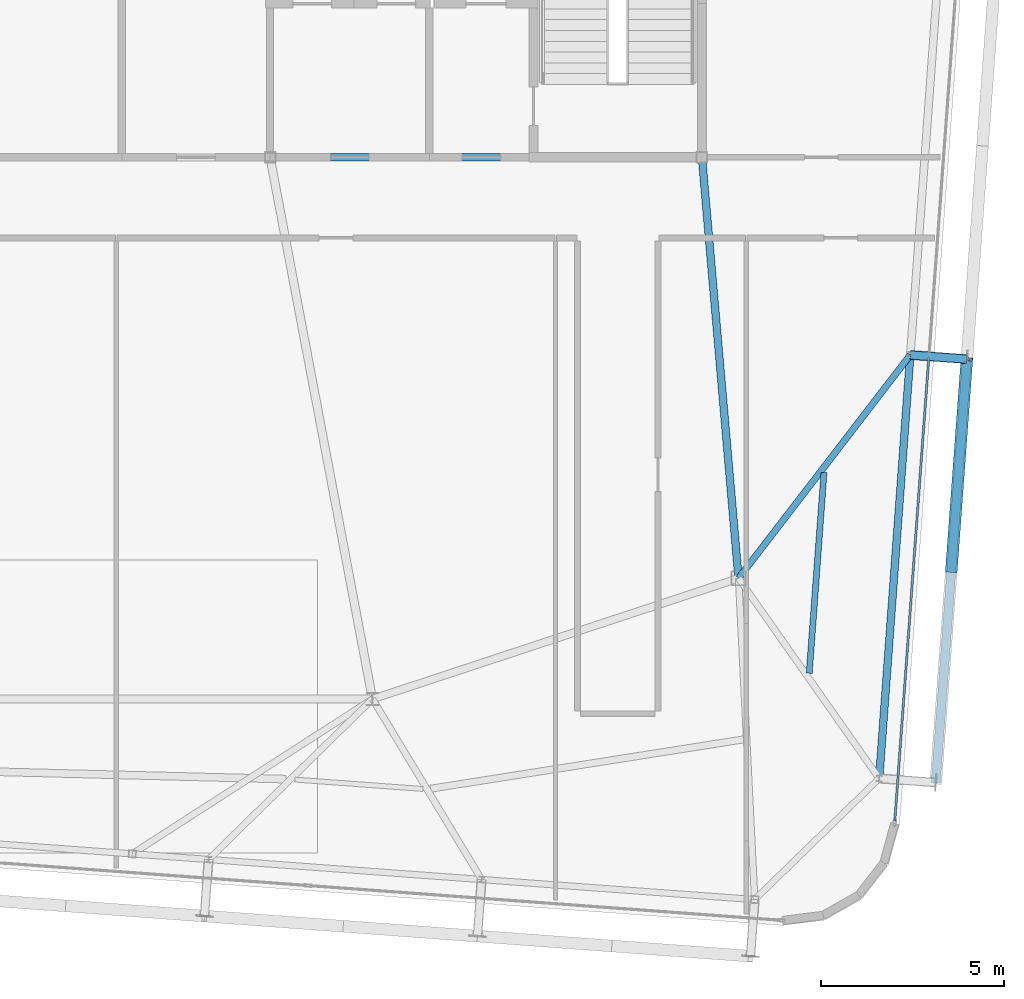
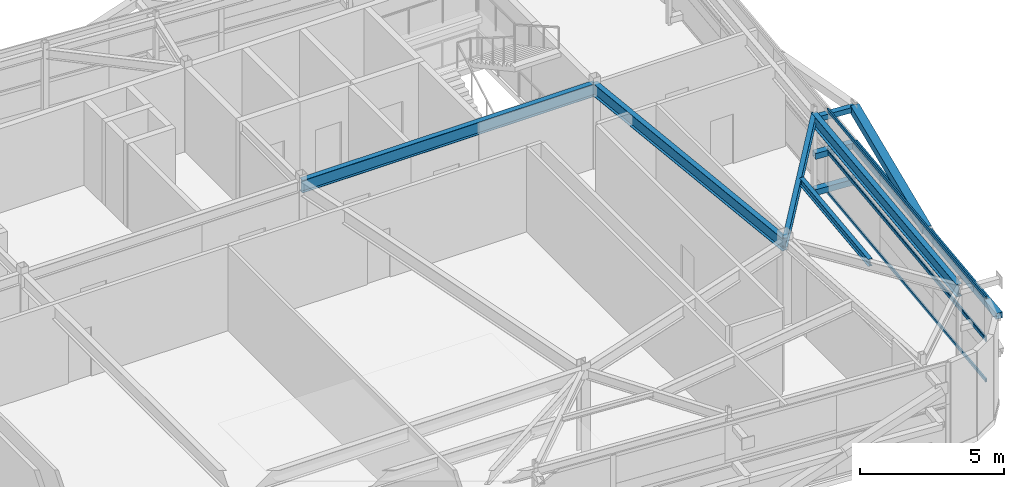
# One storey, part 16 of 35: 9 members, 5 beams, 2 elements without a shape of their own.
"""IFC4 building model written with IfcOpenShell, lengths in metres."""

from ifc_helpers import new_model, si_unit, direction, frame, origin, origin_2d, place, context, subcontext, project, spatial, hollow_rectangle, i_section, extrude, source, transform, mapped, material, layer, layer_set, material_profile, profile_set, type_object, element, aggregate, save


model = new_model("IFC4")

# Units and contexts
model_context = context("Model", 3, precision=1e-05, world=origin(), true_north=direction((0.0, 1.0)))
body_context = subcontext(model_context, "Body", "Model", "MODEL_VIEW")
ifc_project = project(units=[si_unit("LENGTHUNIT", "METRE"), si_unit("AREAUNIT", "SQUARE_METRE"), si_unit("VOLUMEUNIT", "CUBIC_METRE"), si_unit("PLANEANGLEUNIT", "RADIAN"), si_unit("MASSUNIT", "GRAM", prefix="KILO")], contexts=[model_context])

# Site, building, storey
site_placement = place(None, origin())
site = spatial("IfcSite", under=ifc_project, at=site_placement, CompositionType="ELEMENT")
building_placement = place(site_placement, origin())
building = spatial("IfcBuilding", under=site, at=building_placement, Name="Taldren Reach Tower", CompositionType="ELEMENT")
storey_placement = place(building_placement, frame((0.0, 0.0, 249.199951171875)))
storey = spatial("IfcBuildingStorey", under=building, at=storey_placement, Name="L76", CompositionType="ELEMENT", Elevation=249.199951171875)

# Beams
ifc_material_1 = material(Name="Steel Gr 350 (350PLUS)", Category="steel")
ifc_material_profile_1 = material_profile(ifc_material_1, i_section(OverallWidth=0.208984375, OverallDepth=0.532958984375, WebThickness=0.01025390625, FlangeThickness=0.015625, at=origin_2d()), Name="530UB92.4")
ifc_profile_set_1 = profile_set([ifc_material_profile_1], Name="Steel Gr 350 (350PLUS)")
beam_type_1 = type_object("IfcBeamType", Name="BM-UB530A", PredefinedType="BEAM", material=ifc_profile_set_1)
shared_shape_1 = source(origin(), body_context, "Body", "SweptSolid", [
    extrude(i_section(OverallWidth=0.208984375, OverallDepth=0.532958984375, WebThickness=0.01025390625, FlangeThickness=0.015625, at=origin_2d()), origin(), (0.0, 0.0, 1.0), 11.800048828125),
])
beam_1_placement = place(storey_placement, frame((39.199951171875, 24.0, 3.303466796875), z_axis=(1.0, 0.0, 0.0), x_axis=(0.0, 1.0, 0.0)))
element("IfcBeam", 1, at=beam_1_placement, inside=storey, type_object=beam_type_1, Name="Core-spine girder L76-SP03", PredefinedType="BEAM", context=body_context, shape_type="MappedRepresentation", body=[
    mapped(shared_shape_1, transform((0.0, 0.0, 0.0), scale=1.0)),
])
shared_shape_2 = source(origin(), body_context, "Body", "SweptSolid", [
    extrude(i_section(OverallWidth=0.208984375, OverallDepth=0.532958984375, WebThickness=0.01025390625, FlangeThickness=0.015625, at=origin_2d()), origin(), (0.0, 0.0, 1.0), 11.54345703125),
])
beam_2_placement = place(storey_placement, frame((52.0, 12.5, 3.303466796875), z_axis=(-0.086629616365, 0.996240588196, 0.0), x_axis=(-0.996240588196, -0.086629616365, 0.0)))
element("IfcBeam", 2, at=beam_2_placement, inside=storey, type_object=beam_type_1, Name="Core-spine girder L76-SP13", PredefinedType="BEAM", context=body_context, shape_type="MappedRepresentation", body=[
    mapped(shared_shape_2, transform((0.0, 0.0, 0.0), scale=1.0)),
])
ifc_material_profile_2 = material_profile(ifc_material_1, i_section(OverallWidth=0.208984375, OverallDepth=0.528076171875, WebThickness=0.009521484375, FlangeThickness=0.01318359375, at=origin_2d()), Name="530UB82.0")
ifc_profile_set_2 = profile_set([ifc_material_profile_2], Name="Steel Gr 350 (350PLUS)")
beam_type_2 = type_object("IfcBeamType", Name="SP-UB530B", PredefinedType="SPANDREL", material=ifc_profile_set_2)
shared_shape_3 = source(origin(), body_context, "Body", "SweptSolid", [
    extrude(i_section(OverallWidth=0.208984375, OverallDepth=0.528076171875, WebThickness=0.009521484375, FlangeThickness=0.01318359375, at=origin_2d()), origin(), (0.0, 0.0, 1.0), 11.60009765625),
])
beam_3_placement = place(storey_placement, frame((55.841796875, 7.031005859375, 3.30615234375), z_axis=(0.073242167855, 0.997314185625, 0.0), x_axis=(-0.997314185625, 0.073242167855, 0.0)))
element("IfcBeam", 3, at=beam_3_placement, inside=storey, type_object=beam_type_2, Name="Perimeter spandrel B5 E1-E2 L76", PredefinedType="SPANDREL", context=body_context, shape_type="MappedRepresentation", body=[
    mapped(shared_shape_3, transform((0.0, 0.0, 0.0), scale=1.0)),
])
ifc_material_profile_3 = material_profile(ifc_material_1, i_section(OverallWidth=0.177978515625, OverallDepth=0.406005859375, WebThickness=0.0078125, FlangeThickness=0.0126953125, at=origin_2d()), Name="410UB59.7")
ifc_profile_set_3 = profile_set([ifc_material_profile_3], Name="Steel Gr 350 (350PLUS)")
beam_type_3 = type_object("IfcBeamType", Name="BM-UB410", PredefinedType="BEAM", material=ifc_profile_set_3)
shared_shape_4 = source(origin(), body_context, "Body", "SweptSolid", [
    extrude(i_section(OverallWidth=0.177978515625, OverallDepth=0.406005859375, WebThickness=0.0078125, FlangeThickness=0.0126953125, at=origin_2d()), origin(), (0.0, 0.0, 1.0), 7.6953125),
])
beam_4_placement = place(storey_placement, frame((52.0, 12.5, 3.366943359375), z_axis=(0.609646363361, 0.792673521471, 0.0), x_axis=(-0.792673521471, 0.609646363361, 0.0)))
element("IfcBeam", 4, at=beam_4_placement, inside=storey, type_object=beam_type_3, Name="Primary floor girder B5-E2 L76", PredefinedType="BEAM", context=body_context, shape_type="MappedRepresentation", body=[
    mapped(shared_shape_4, transform((0.0, 0.0, 0.0), scale=1.0)),
])
ifc_material_2 = material(Name="Steel Gr 300 (300PLUS, 300 MPa)", Category="steel")
ifc_material_profile_4 = material_profile(ifc_material_2, i_section(OverallWidth=0.166015625, OverallDepth=0.306884765625, WebThickness=0.006591796875, FlangeThickness=0.01171875, at=origin_2d()), Name="310UB46.2")
ifc_profile_set_4 = profile_set([ifc_material_profile_4], Name="Steel Gr 300 (300PLUS, 300 MPa)")
beam_type_4 = type_object("IfcBeamType", Name="JS-UB310", PredefinedType="JOIST", material=ifc_profile_set_4)
shared_shape_5 = source(origin(), body_context, "Body", "SweptSolid", [
    extrude(i_section(OverallWidth=0.166015625, OverallDepth=0.306884765625, WebThickness=0.006591796875, FlangeThickness=0.01171875, at=origin_2d()), origin(), (0.0, 0.0, 1.0), 5.49755859375),
])
beam_5_placement = place(storey_placement, frame((53.93115234375, 9.905517578125, 3.41650390625), z_axis=(0.073228814191, 0.99731516622, 0.0), x_axis=(-0.99731516622, 0.073228814191, 0.0)))
element("IfcBeam", 5, at=beam_5_placement, inside=storey, type_object=beam_type_4, Name="Secondary floor joist B5 J7 L76", PredefinedType="JOIST", context=body_context, shape_type="MappedRepresentation", body=[
    mapped(shared_shape_5, transform((0.0, 0.0, 0.0), scale=1.0)),
])

# Members
ifc_material_3 = material(Name="Steel Gr 450 (C450L0)", Category="steel")
ifc_material_profile_5 = material_profile(ifc_material_3, hollow_rectangle(XDim=0.219970703125, YDim=0.219970703125, WallThickness=0.00830078125, at=origin_2d()), Name="220x220x8.2SHS")
ifc_profile_set_5 = profile_set([ifc_material_profile_5], Name="Steel Gr 450 (C450L0)")
member_type_1 = type_object("IfcMemberType", Name="MB-TIE219", PredefinedType="STRUT", material=ifc_profile_set_5)
shared_shape_6 = source(origin(), body_context, "Body", "SweptSolid", [
    extrude(hollow_rectangle(XDim=0.219970703125, YDim=0.219970703125, WallThickness=0.00830078125, at=origin_2d()), origin(), (0.0, 0.0, 1.0), 1.5458984375),
])
member_1_placement = place(storey_placement, frame((56.6953125, 18.599365234375, 3.2900390625), z_axis=(0.99732305975, -0.073121231459, 0.0), x_axis=(0.073121231459, 0.99732305975, 0.0)))
element("IfcMember", 6, at=member_1_placement, inside=storey, type_object=member_type_1, Name="Exoskeleton diaphragm tie strut B5-E2 L76", PredefinedType="STRUT", context=body_context, shape_type="MappedRepresentation", body=[
    mapped(shared_shape_6, transform((0.0, 0.0, 0.0), scale=1.0)),
])
ifc_material_4 = material(Name="Steel Gr 350 (C350L0)", Category="steel")
ifc_material_profile_6 = material_profile(ifc_material_4, hollow_rectangle(XDim=0.25, YDim=0.25, WallThickness=0.010009765625, at=origin_2d()), Name="250x250x10.0SHS")
ifc_profile_set_6 = profile_set([ifc_material_profile_6], Name="Steel Gr 350 (C350L0)")
member_type_2 = type_object("IfcMemberType", Name="MB-POST250", PredefinedType="POST", material=ifc_profile_set_6)
shared_shape_7 = source(origin(), body_context, "Body", "SweptSolid", [
    extrude(hollow_rectangle(XDim=0.25, YDim=0.25, WallThickness=0.010009765625, at=origin_2d()), origin(), (0.0, 0.0, 1.0), 11.60009765625),
])
member_2_placement = place(storey_placement, frame((57.3876953125, 6.91748046875, 1.755126953125), z_axis=(0.073221234109, 0.997315722766, 0.0), x_axis=(-0.997315722766, 0.073221234109, 0.0)))
element("IfcMember", 7, at=member_2_placement, inside=storey, type_object=member_type_2, Name="Exoskeleton mid-height ring chord B5-E1 L76", PredefinedType="POST", context=body_context, shape_type="MappedRepresentation", body=[
    mapped(shared_shape_7, transform((0.0, 0.0, 0.0), scale=1.0)),
])
shared_shape_8 = source(origin(), body_context, "Body", "SweptSolid", [
    extrude(hollow_rectangle(XDim=0.25, YDim=0.25, WallThickness=0.010009765625, at=origin_2d()), origin(), (0.0, 0.0, 1.0), 1.5458984375),
])
for number, where, z_axis, x_axis, name in (
    (8, (56.6953125, 18.599365234375, 0.219970703125), (0.99732305975, -0.073121231459, 0.0), (0.073121231459, 0.99732305975, 0.0), "Exoskeleton base diaphragm tie strut B5-E2 L76"),
    (9, (56.6953125, 18.599365234375, 1.755126953125), (0.99732305975, -0.073121231459, 0.0), (0.073121231459, 0.99732305975, 0.0), "Exoskeleton mid-tier diaphragm tie B5-E2 L76"),
):
    element("IfcMember", number, at=place(storey_placement, frame(where, z_axis=z_axis, x_axis=x_axis)), inside=storey, type_object=member_type_2, Name=name, PredefinedType="POST", context=body_context, shape_type="MappedRepresentation", body=[
        mapped(shared_shape_8, transform((0.0, 0.0, 0.0), scale=1.0)),
    ])
ifc_material_profile_7 = material_profile(ifc_material_3, hollow_rectangle(XDim=0.324951171875, YDim=0.324951171875, WallThickness=0.0126953125, at=origin_2d()), Name="325x325x12.7SHS")
ifc_profile_set_7 = profile_set([ifc_material_profile_7], Name="Steel Gr 450 (C450L0)")
member_type_3 = type_object("IfcMemberType", Name="MB-BR324", PredefinedType="BRACE", material=ifc_profile_set_7)
shared_shape_9 = source(origin(), body_context, "Body", "SweptSolid", [
    extrude(hollow_rectangle(XDim=0.324951171875, YDim=0.324951171875, WallThickness=0.0126953125, at=origin_2d()), origin(), (0.0, 0.0, 1.0), 5.999755859375),
])
member_3_placement = place(storey_placement, frame((57.812255859375, 12.701904296875, 1.755126953125), z_axis=(0.070804741284, 0.964124560479, 0.255832993362), x_axis=(-0.997314185625, 0.073242167855, 0.0)))
element("IfcMember", 10, at=member_3_placement, inside=storey, type_object=member_type_3, Name="Exoskeleton Diagrid Brace B5-E1 L76", PredefinedType="BRACE", context=body_context, shape_type="MappedRepresentation", body=[
    mapped(shared_shape_9, transform((0.0, 0.0, 0.0), scale=1.0)),
])

# Curtain wall, members
ifc_material_5 = material(Name="Aluminium and Low-E Glass Unitised System", Category="aluminium")
ifc_layer = layer(ifc_material_5, 0.159912109375)
ifc_layer_set = layer_set([ifc_layer], Name="Aluminium and Low-E Glass Unitised System")
curtain_wall_type = type_object("IfcCurtainWallType", Name="CW-SYS-6", PredefinedType="NOTDEFINED", material=ifc_layer_set)
curtain_wall_1_placement = place(storey_placement, origin())
curtain_wall_1 = element("IfcCurtainWall", 11, at=curtain_wall_1_placement, inside=storey, type_object=curtain_wall_type, Name="Unitised curtain wall CW-L76-E", PredefinedType="NOTDEFINED")
ifc_material_6 = material(Name="Anodised Aluminium 6063-T6", Category="aluminium")
ifc_material_profile_8 = material_profile(ifc_material_6, hollow_rectangle(XDim=0.06005859375, YDim=0.135009765625, WallThickness=0.00341796875, at=origin_2d()), Name="ALU-135x60x3.5RHS")
ifc_profile_set_8 = profile_set([ifc_material_profile_8], Name="Anodised Aluminium 6063-T6")
member_type_4 = type_object("IfcMemberType", Name="CW-TRN-150", PredefinedType="USERDEFINED", material=ifc_profile_set_8)
shared_shape_10 = source(origin(), body_context, "Body", "SweptSolid", [
    extrude(hollow_rectangle(XDim=0.06005859375, YDim=0.135009765625, WallThickness=0.00341796875, at=origin_2d()), origin(), (0.0, 0.0, 1.0), 12.6875),
])
member_4_placement = place(storey_placement, frame((56.26806640625, 5.87158203125, 0.030029296875), z_axis=(0.073237997916, 0.997314491854, 0.0), x_axis=(-0.997314491854, 0.073237997916, 0.0)))
member_4 = element("IfcMember", 12, at=member_4_placement, type_object=member_type_4, Name="CW-6 transom 1.1", ObjectType="TRANSOM", PredefinedType="USERDEFINED", context=body_context, shape_type="MappedRepresentation", body=[
    mapped(shared_shape_10, transform((0.0, 0.0, 0.0), scale=1.0)),
])
member_5_placement = place(storey_placement, frame((56.26806640625, 5.87158203125, 1.755126953125), z_axis=(0.073237997916, 0.997314491854, 0.0), x_axis=(-0.997314491854, 0.073237997916, 0.0)))
member_5 = element("IfcMember", 13, at=member_5_placement, type_object=member_type_4, Name="CW-6 transom 1.2", ObjectType="TRANSOM", PredefinedType="USERDEFINED", context=body_context, shape_type="MappedRepresentation", body=[
    mapped(shared_shape_10, transform((0.0, 0.0, 0.0), scale=1.0)),
])
aggregate(curtain_wall_1, [member_4, member_5])

curtain_wall_2_placement = place(storey_placement, origin())
curtain_wall_2 = element("IfcCurtainWall", 14, at=curtain_wall_2_placement, inside=storey, type_object=curtain_wall_type, Name="Unitised curtain wall CW-L76-E-T2", PredefinedType="NOTDEFINED")
member_6_placement = place(storey_placement, frame((56.26806640625, 5.87158203125, 1.81494140625), z_axis=(0.073237997916, 0.997314491854, 0.0), x_axis=(-0.997314491854, 0.073237997916, 0.0)))
member_6 = element("IfcMember", 15, at=member_6_placement, type_object=member_type_4, Name="CW-6 transom 1.1", ObjectType="TRANSOM", PredefinedType="USERDEFINED", context=body_context, shape_type="MappedRepresentation", body=[
    mapped(shared_shape_10, transform((0.0, 0.0, 0.0), scale=1.0)),
])
member_7_placement = place(storey_placement, frame((56.26806640625, 5.87158203125, 3.5400390625), z_axis=(0.073237997916, 0.997314491854, 0.0), x_axis=(-0.997314491854, 0.073237997916, 0.0)))
member_7 = element("IfcMember", 16, at=member_7_placement, type_object=member_type_4, Name="CW-6 transom 1.2", ObjectType="TRANSOM", PredefinedType="USERDEFINED", context=body_context, shape_type="MappedRepresentation", body=[
    mapped(shared_shape_10, transform((0.0, 0.0, 0.0), scale=1.0)),
])
aggregate(curtain_wall_2, [member_6, member_7])

save(model, "model.ifc")
